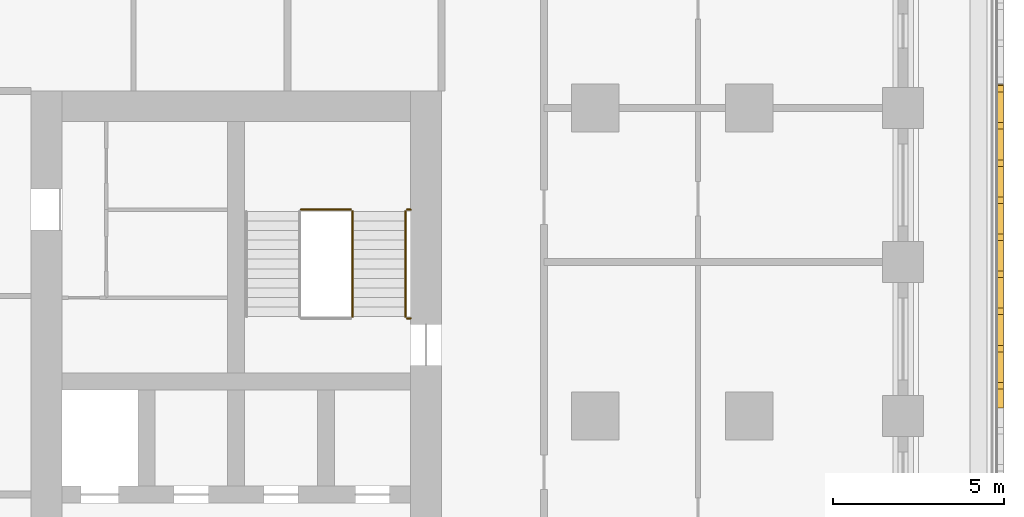
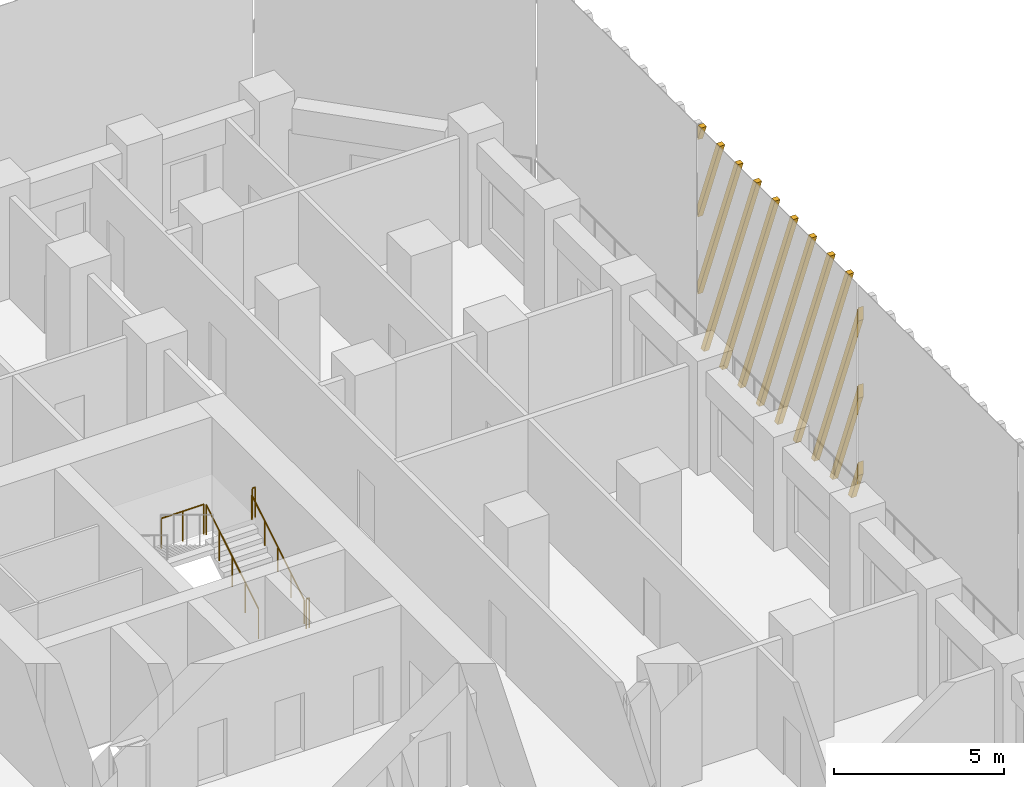
# One storey, part 18 of 20: 5 railings, 1 shading device.
"""IFC4 building model written with IfcOpenShell, lengths in metres."""

from ifc_helpers import new_model, si_unit, direction, frame, origin, origin_2d, place, context, subcontext, project, spatial, polyline, circle, outline, extrude, source, transform, mapped, material, type_object, element, save


model = new_model("IFC4")

# Units and contexts
model_context = context("Model", 3, precision=1e-05, world=origin(), true_north=direction((0.0, 1.0)))
body_context = subcontext(model_context, "Body", "Model", "MODEL_VIEW")
ifc_project = project(units=[si_unit("LENGTHUNIT", "METRE"), si_unit("AREAUNIT", "SQUARE_METRE"), si_unit("VOLUMEUNIT", "CUBIC_METRE"), si_unit("PLANEANGLEUNIT", "RADIAN"), si_unit("MASSUNIT", "GRAM", prefix="KILO")], contexts=[model_context])

# Site, building, storey
site_placement = place(None, origin())
site = spatial("IfcSite", under=ifc_project, at=site_placement, CompositionType="ELEMENT")
building_placement = place(site_placement, origin())
building = spatial("IfcBuilding", under=site, at=building_placement, Name="Corbel Stack Research Tower", CompositionType="ELEMENT")
storey_placement = place(building_placement, frame((0.0, 0.0, 98.39990234375)))
storey = spatial("IfcBuildingStorey", under=building, at=storey_placement, Name="L22", CompositionType="ELEMENT", Elevation=98.39990234375)

# Railings
ifc_material_1 = material(Name="Steel S355", Category="steel")
railing_type_1 = type_object("IfcRailingType", Name="Stair guard 1100", PredefinedType="GUARDRAIL", material=ifc_material_1)
railing_1_placement = place(storey_placement, frame((15.39990234375, 11.89990234375, 0.1708984375)))
element("IfcRailing", 1, at=railing_1_placement, inside=storey, type_object=railing_type_1, Name="L22 ST-E2 stair guard 1", PredefinedType="GUARDRAIL", context=body_context, shape_type="SweptSolid", body=[
    extrude(circle(Radius=0.02392578125, at=origin_2d()), frame((0.0, 0.0, 1.076171875), z_axis=(0.0, 0.853666305674, 0.52082035152), x_axis=(-1.0, 0.0, 0.0)), (0.0, 0.0, 1.0), 3.608154296875),
    extrude(circle(Radius=0.02099609375, at=origin_2d()), origin(), (0.0, 0.0, 1.0), 1.052001953125),
    extrude(circle(Radius=0.02099609375, at=origin_2d()), frame((0.0, 0.77001953125, 0.4697265625)), (0.0, 0.0, 1.0), 1.052001953125),
    extrude(circle(Radius=0.02099609375, at=origin_2d()), frame((0.0, 1.5400390625, 0.939453125)), (0.0, 0.0, 1.0), 1.052001953125),
    extrude(circle(Radius=0.02099609375, at=origin_2d()), frame((0.0, 2.31005859375, 1.409423828125)), (0.0, 0.0, 1.0), 1.052001953125),
    extrude(circle(Radius=0.02099609375, at=origin_2d()), frame((0.0, 3.080078125, 1.879150390625)), (0.0, 0.0, 1.0), 1.052001953125),
])
railing_2_placement = place(storey_placement, frame((15.35009765625, 15.030029296875, 2.050048828125)))
element("IfcRailing", 2, at=railing_2_placement, inside=storey, type_object=railing_type_1, Name="L22 ST-E2 stair guard 2", PredefinedType="GUARDRAIL", context=body_context, shape_type="SweptSolid", body=[
    extrude(circle(Radius=0.02392578125, at=origin_2d()), frame((0.0, 0.0, 1.076171875), z_axis=(-1.0, 0.0, 0.0), x_axis=(0.0, -1.0, 0.0)), (0.0, 0.0, 1.0), 1.4501953125),
    extrude(circle(Radius=0.02099609375, at=origin_2d()), origin(), (0.0, 0.0, 1.0), 1.052001953125),
    extrude(circle(Radius=0.02099609375, at=origin_2d()), frame((-0.72509765625, 0.0, 0.0)), (0.0, 0.0, 1.0), 1.052001953125),
    extrude(circle(Radius=0.02099609375, at=origin_2d()), frame((-1.4501953125, 0.0, 0.0)), (0.0, 0.0, 1.0), 1.052001953125),
])
for number, where, name in (
    (3, (17.10009765625, 15.030029296875, 2.050048828125), "L22 ST-E2 stair guard 3"),
    (4, (17.10009765625, 11.85009765625, 0.0), "L22 ST-E2 stair guard 6"),
):
    element("IfcRailing", number, at=place(storey_placement, frame(where)), inside=storey, type_object=railing_type_1, Name=name, PredefinedType="GUARDRAIL", context=body_context, shape_type="SweptSolid", body=[
        extrude(circle(Radius=0.02392578125, at=origin_2d()), frame((0.0, 0.0, 1.076171875), z_axis=(-1.0, 0.0, 0.0), x_axis=(0.0, -1.0, 0.0)), (0.0, 0.0, 1.0), 0.10009765625),
        extrude(circle(Radius=0.02099609375, at=origin_2d()), origin(), (0.0, 0.0, 1.0), 1.052001953125),
        extrude(circle(Radius=0.02099609375, at=origin_2d()), frame((-0.10009765625, 0.0, 0.0)), (0.0, 0.0, 1.0), 1.052001953125),
    ])
ifc_material_2 = material(Name="Steel S355", Category="steel")
railing_type_2 = type_object("IfcRailingType", Name="Stair handrail 900", PredefinedType="HANDRAIL", material=ifc_material_2)
railing_3_placement = place(storey_placement, frame((16.949951171875, 11.89990234375, 0.1708984375)))
element("IfcRailing", 5, at=railing_3_placement, inside=storey, type_object=railing_type_2, Name="L22 ST-E2 stair handrail 1", PredefinedType="HANDRAIL", context=body_context, shape_type="SweptSolid", body=[
    extrude(circle(Radius=0.02392578125, at=origin_2d()), frame((0.0, 0.0, 0.8759765625), z_axis=(0.0, 0.853666305674, 0.52082035152), x_axis=(-1.0, 0.0, 0.0)), (0.0, 0.0, 1.0), 3.608154296875),
    extrude(circle(Radius=0.02099609375, at=origin_2d()), origin(), (0.0, 0.0, 1.0), 0.851806640625),
    extrude(circle(Radius=0.02099609375, at=origin_2d()), frame((0.0, 0.77001953125, 0.4697265625)), (0.0, 0.0, 1.0), 0.851806640625),
    extrude(circle(Radius=0.02099609375, at=origin_2d()), frame((0.0, 1.5400390625, 0.939453125)), (0.0, 0.0, 1.0), 0.851806640625),
    extrude(circle(Radius=0.02099609375, at=origin_2d()), frame((0.0, 2.31005859375, 1.409423828125)), (0.0, 0.0, 1.0), 0.851806640625),
    extrude(circle(Radius=0.02099609375, at=origin_2d()), frame((0.0, 3.080078125, 1.879150390625)), (0.0, 0.0, 1.0), 0.851806640625),
])

# Shading device
ifc_material_3 = material(Name="Precast terracotta", Category="masonry")
shading_device_type = type_object("IfcShadingDeviceType", Name="Terracotta screen panel", PredefinedType="USERDEFINED", material=ifc_material_3)
shared_shape = source(origin(), body_context, "Body", "SweptSolid", [
    extrude(outline(polyline([(0.60205078125, 0.0), (0.0, 1.541748046875), (0.0, 1.055419921875), (0.412109375, 0.0), (0.60205078125, 0.0)])), frame((0.0, 0.0, 0.0), z_axis=(0.0, -1.0, 0.0), x_axis=(1.0, 0.0, 0.0)), (0.0, 0.0, 1.0), 0.179931640625),
    extrude(outline(polyline([(1.686767578125, 0.0), (0.0, 4.319091796875), (0.0, 3.83251953125), (1.496826171875, 0.0), (1.686767578125, 0.0)])), frame((0.0, 0.0, 0.0), z_axis=(0.0, -1.0, 0.0), x_axis=(1.0, 0.0, 0.0)), (0.0, 0.0, 1.0), 0.179931640625),
    extrude(outline(polyline([(2.771484375, 0.0), (0.0, 7.096435546875), (0.0, 6.60986328125), (2.58154296875, 0.0), (2.771484375, 0.0)])), frame((0.0, 0.0, 0.0), z_axis=(0.0, -1.0, 0.0), x_axis=(1.0, 0.0, 0.0)), (0.0, 0.0, 1.0), 0.179931640625),
    extrude(outline(polyline([(3.856201171875, 0.0), (0.751220703125, 7.949951171875), (0.561279296875, 7.949951171875), (3.666015625, 0.0), (3.856201171875, 0.0)])), frame((0.0, 0.0, 0.0), z_axis=(0.0, -1.0, 0.0), x_axis=(1.0, 0.0, 0.0)), (0.0, 0.0, 1.0), 0.179931640625),
    extrude(outline(polyline([(4.94091796875, 0.0), (1.8359375, 7.949951171875), (1.64599609375, 7.949951171875), (4.750732421875, 0.0), (4.94091796875, 0.0)])), frame((0.0, 0.0, 0.0), z_axis=(0.0, -1.0, 0.0), x_axis=(1.0, 0.0, 0.0)), (0.0, 0.0, 1.0), 0.179931640625),
    extrude(outline(polyline([(6.025390625, 0.0), (2.920654296875, 7.949951171875), (2.730712890625, 7.949951171875), (5.83544921875, 0.0), (6.025390625, 0.0)])), frame((0.0, 0.0, 0.0), z_axis=(0.0, -1.0, 0.0), x_axis=(1.0, 0.0, 0.0)), (0.0, 0.0, 1.0), 0.179931640625),
    extrude(outline(polyline([(7.110107421875, 0.0), (4.00537109375, 7.949951171875), (3.815185546875, 7.949951171875), (6.920166015625, 0.0), (7.110107421875, 0.0)])), frame((0.0, 0.0, 0.0), z_axis=(0.0, -1.0, 0.0), x_axis=(1.0, 0.0, 0.0)), (0.0, 0.0, 1.0), 0.179931640625),
    extrude(outline(polyline([(8.19482421875, 0.0), (5.090087890625, 7.949951171875), (4.89990234375, 7.949951171875), (8.0048828125, 0.0), (8.19482421875, 0.0)])), frame((0.0, 0.0, 0.0), z_axis=(0.0, -1.0, 0.0), x_axis=(1.0, 0.0, 0.0)), (0.0, 0.0, 1.0), 0.179931640625),
    extrude(outline(polyline([(9.279541015625, 0.0), (6.174560546875, 7.949951171875), (5.984619140625, 7.949951171875), (9.089599609375, 0.0), (9.279541015625, 0.0)])), frame((0.0, 0.0, 0.0), z_axis=(0.0, -1.0, 0.0), x_axis=(1.0, 0.0, 0.0)), (0.0, 0.0, 1.0), 0.179931640625),
    extrude(outline(polyline([(7.25927734375, 7.949951171875), (7.0693359375, 7.949951171875), (9.45556640625, 1.839599609375), (9.45556640625, 2.326171875), (7.25927734375, 7.949951171875)])), frame((0.0, 0.0, 0.0), z_axis=(0.0, -1.0, 0.0), x_axis=(1.0, 0.0, 0.0)), (0.0, 0.0, 1.0), 0.179931640625),
    extrude(outline(polyline([(8.343994140625, 7.949951171875), (8.15380859375, 7.949951171875), (9.45556640625, 4.616943359375), (9.45556640625, 5.103515625), (8.343994140625, 7.949951171875)])), frame((0.0, 0.0, 0.0), z_axis=(0.0, -1.0, 0.0), x_axis=(1.0, 0.0, 0.0)), (0.0, 0.0, 1.0), 0.179931640625),
    extrude(outline(polyline([(9.4287109375, 7.949951171875), (9.238525390625, 7.949951171875), (9.45556640625, 7.394287109375), (9.45556640625, 7.880859375), (9.4287109375, 7.949951171875)])), frame((0.0, 0.0, 0.0), z_axis=(0.0, -1.0, 0.0), x_axis=(1.0, 0.0, 0.0)), (0.0, 0.0, 1.0), 0.179931640625),
])
shading_device_placement = place(storey_placement, frame((34.25, 9.227783203125, 0.0), z_axis=(0.0, 0.0, 1.0), x_axis=(0.0, 1.0, 0.0)))
element("IfcShadingDevice", 6, at=shading_device_placement, inside=storey, type_object=shading_device_type, Name="Terracotta screen L22 E4", ObjectType="SCREEN", PredefinedType="USERDEFINED", context=body_context, shape_type="MappedRepresentation", body=[
    mapped(shared_shape, transform((0.0, 0.0, 0.0))),
])

save(model, "model.ifc")
